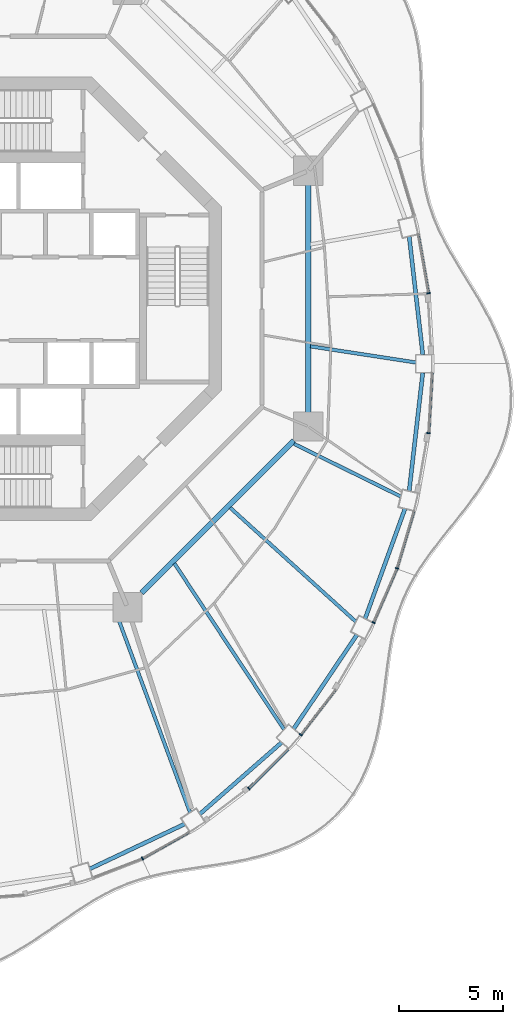
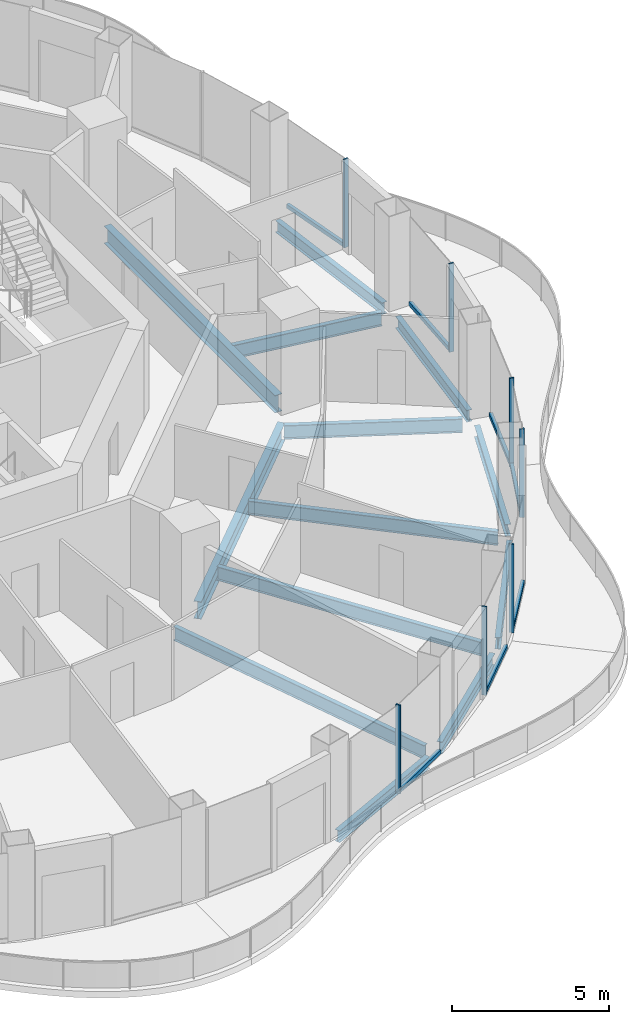
# One storey, part 4 of 17: 14 members, 13 beams, 7 elements without a shape of their own.
"""IFC4 building model written with IfcOpenShell, lengths in metres."""

from ifc_helpers import new_model, si_unit, direction, frame, origin, origin_2d, place, context, subcontext, project, spatial, rectangle, i_section, extrude, material, layer, layer_set, material_profile, profile_set, type_object, element, aggregate, save


model = new_model("IFC4")

# Units and contexts
model_context = context("Model", 3, precision=1e-05, world=origin(), true_north=direction((0.0, 1.0)))
body_context = subcontext(model_context, "Body", "Model", "MODEL_VIEW")
ifc_project = project(units=[si_unit("LENGTHUNIT", "METRE"), si_unit("AREAUNIT", "SQUARE_METRE"), si_unit("VOLUMEUNIT", "CUBIC_METRE"), si_unit("PLANEANGLEUNIT", "RADIAN"), si_unit("MASSUNIT", "GRAM", prefix="KILO")], contexts=[model_context])

# Site, building, storey
site_placement = place(None, origin())
site = spatial("IfcSite", under=ifc_project, at=site_placement, CompositionType="ELEMENT")
building_placement = place(site_placement, origin())
building = spatial("IfcBuilding", under=site, at=building_placement, Name="Nagisa Residences", CompositionType="ELEMENT")
storey_placement = place(building_placement, frame((0.0, 0.0, 273.300048828125)))
storey = spatial("IfcBuildingStorey", under=building, at=storey_placement, Name="L69", CompositionType="ELEMENT", Elevation=273.300048828125)

# Curtain wall, member
ifc_material_1 = material(Name="Concrete-coloured aluminium curtain wall system", Category="concrete")
ifc_layer = layer(ifc_material_1, 0.159912109375)
ifc_layer_set = layer_set([ifc_layer], Name="CW1 CURTAIN WALL")
curtain_wall_type = type_object("IfcCurtainWallType", Name="CW1 CURTAIN WALL", PredefinedType="NOTDEFINED", material=ifc_layer_set)
curtain_wall_1_placement = place(storey_placement, origin())
curtain_wall_1 = element("IfcCurtainWall", 1, at=curtain_wall_1_placement, inside=storey, type_object=curtain_wall_type, Name="cw:CW1:L69:01", PredefinedType="NOTDEFINED")
ifc_material_2 = material(Name="Concrete-coloured aluminium", Category="concrete")
ifc_material_profile_1 = material_profile(ifc_material_2, rectangle(XDim=0.159912109375, YDim=0.06005859375, at=origin_2d()), Name="CW1 MULLION 160x60")
ifc_profile_set_1 = profile_set([ifc_material_profile_1], Name="Concrete-coloured aluminium")
member_type_1 = type_object("IfcMemberType", Name="CW1 MULLION 160x60", PredefinedType="MULLION", material=ifc_profile_set_1)
member_1_placement = place(storey_placement, frame((20.54248046875, 0.2578125, 0.0), z_axis=(0.0, 0.0, 1.0), x_axis=(-0.985063604377, -0.172190868898, 0.0)))
member_1 = element("IfcMember", 2, at=member_1_placement, type_object=member_type_1, Name="CW1 mullion", PredefinedType="MULLION", context=body_context, shape_type="SweptSolid", body=[
    extrude(rectangle(XDim=0.159912109375, YDim=0.06005859375, at=origin_2d()), origin(), (0.0, 0.0, 1.0), 3.43994140625),
])

curtain_wall_2_placement = place(storey_placement, origin())
curtain_wall_2 = element("IfcCurtainWall", 3, at=curtain_wall_2_placement, inside=storey, type_object=curtain_wall_type, Name="cw:CW1:L69:39", PredefinedType="NOTDEFINED")
member_2_placement = place(storey_placement, frame((6.84326171875, -26.81396484375, 0.0), z_axis=(0.0, 0.0, 1.0), x_axis=(-0.489376918501, 0.872072377523, 0.0)))
member_2 = element("IfcMember", 4, at=member_2_placement, type_object=member_type_1, Name="CW1 mullion", PredefinedType="MULLION", context=body_context, shape_type="SweptSolid", body=[
    extrude(rectangle(XDim=0.159912109375, YDim=0.06005859375, at=origin_2d()), origin(), (0.0, 0.0, 1.0), 3.43994140625),
])

curtain_wall_3_placement = place(storey_placement, origin())
curtain_wall_3 = element("IfcCurtainWall", 5, at=curtain_wall_3_placement, inside=storey, type_object=curtain_wall_type, Name="cw:CW1:L69:41", PredefinedType="NOTDEFINED")
member_3_placement = place(storey_placement, frame((11.934814453125, -23.460693359375, 0.0), z_axis=(0.0, 0.0, 1.0), x_axis=(-0.706376885714, 0.707835924016, 0.0)))
member_3 = element("IfcMember", 6, at=member_3_placement, type_object=member_type_1, Name="CW1 mullion", PredefinedType="MULLION", context=body_context, shape_type="SweptSolid", body=[
    extrude(rectangle(XDim=0.159912109375, YDim=0.06005859375, at=origin_2d()), origin(), (0.0, 0.0, 1.0), 3.43994140625),
])

curtain_wall_4_placement = place(storey_placement, origin())
curtain_wall_4 = element("IfcCurtainWall", 7, at=curtain_wall_4_placement, inside=storey, type_object=curtain_wall_type, Name="cw:CW1:L69:42", PredefinedType="NOTDEFINED")
member_4_placement = place(storey_placement, frame((14.42431640625, -20.8896484375, 0.0), z_axis=(0.0, 0.0, 1.0), x_axis=(-0.792070340816, 0.610429828235, 0.0)))
member_4 = element("IfcMember", 8, at=member_4_placement, type_object=member_type_1, Name="CW1 mullion", PredefinedType="MULLION", context=body_context, shape_type="SweptSolid", body=[
    extrude(rectangle(XDim=0.159912109375, YDim=0.06005859375, at=origin_2d()), origin(), (0.0, 0.0, 1.0), 3.43994140625),
])

curtain_wall_5_placement = place(storey_placement, origin())
curtain_wall_5 = element("IfcCurtainWall", 9, at=curtain_wall_5_placement, inside=storey, type_object=curtain_wall_type, Name="cw:CW1:L69:44", PredefinedType="NOTDEFINED")
member_5_placement = place(storey_placement, frame((17.906982421875, -15.515380859375, 0.0), z_axis=(0.0, 0.0, 1.0), x_axis=(-0.917543276295, 0.397635934147, 0.0)))
member_5 = element("IfcMember", 10, at=member_5_placement, type_object=member_type_1, Name="CW1 mullion", PredefinedType="MULLION", context=body_context, shape_type="SweptSolid", body=[
    extrude(rectangle(XDim=0.159912109375, YDim=0.06005859375, at=origin_2d()), origin(), (0.0, 0.0, 1.0), 3.43994140625),
])

curtain_wall_6_placement = place(storey_placement, origin())
curtain_wall_6 = element("IfcCurtainWall", 11, at=curtain_wall_6_placement, inside=storey, type_object=curtain_wall_type, Name="cw:CW1:L69:45", PredefinedType="NOTDEFINED")
member_6_placement = place(storey_placement, frame((19.030029296875, -12.916259765625, 0.0), z_axis=(0.0, 0.0, 1.0), x_axis=(-0.958271310082, 0.285860274038, 0.0)))
member_6 = element("IfcMember", 12, at=member_6_placement, type_object=member_type_1, Name="CW1 mullion", PredefinedType="MULLION", context=body_context, shape_type="SweptSolid", body=[
    extrude(rectangle(XDim=0.159912109375, YDim=0.06005859375, at=origin_2d()), origin(), (0.0, 0.0, 1.0), 3.43994140625),
])

curtain_wall_7_placement = place(storey_placement, origin())
curtain_wall_7 = element("IfcCurtainWall", 13, at=curtain_wall_7_placement, inside=storey, type_object=curtain_wall_type, Name="cw:CW1:L69:47", PredefinedType="NOTDEFINED")
member_7_placement = place(storey_placement, frame((20.54833984375, -6.44287109375, 0.0), z_axis=(0.0, 0.0, 1.0), x_axis=(-0.998345305184, 0.057503492216, 0.0)))
member_7 = element("IfcMember", 14, at=member_7_placement, type_object=member_type_1, Name="CW1 mullion", PredefinedType="MULLION", context=body_context, shape_type="SweptSolid", body=[
    extrude(rectangle(XDim=0.159912109375, YDim=0.06005859375, at=origin_2d()), origin(), (0.0, 0.0, 1.0), 3.43994140625),
])

# Member
ifc_material_3 = material(Name="Concrete-coloured aluminium", Category="concrete")
ifc_material_profile_2 = material_profile(ifc_material_3, rectangle(XDim=0.1201171875, YDim=0.14990234375, at=origin_2d()), Name="CW1 TRANSOM 120x150")
ifc_profile_set_2 = profile_set([ifc_material_profile_2], Name="Concrete-coloured aluminium")
member_type_2 = type_object("IfcMemberType", Name="CW1 TRANSOM 120x150", PredefinedType="USERDEFINED", material=ifc_profile_set_2)
member_8_placement = place(storey_placement, frame((20.547607421875, 0.228271484375, 0.074951171875), z_axis=(-0.172196679668, 0.985062588626, 0.0), x_axis=(-0.985062588626, -0.172196679668, 0.0)))
member_8 = element("IfcMember", 15, at=member_8_placement, type_object=member_type_2, Name="CW1 transom", ObjectType="TRANSOM", PredefinedType="USERDEFINED", context=body_context, shape_type="SweptSolid", body=[
    extrude(rectangle(XDim=0.1201171875, YDim=0.14990234375, at=origin_2d()), origin(), (0.0, 0.0, 1.0), 2.90234375),
])

aggregate(curtain_wall_1, [member_1, member_8])

member_9_placement = place(storey_placement, frame((6.817138671875, -26.82861328125, 0.074951171875), z_axis=(0.872052877201, 0.489411666561, 0.0), x_axis=(-0.489411666561, 0.872052877201, 0.0)))
member_9 = element("IfcMember", 16, at=member_9_placement, type_object=member_type_2, Name="CW1 transom", ObjectType="TRANSOM", PredefinedType="USERDEFINED", context=body_context, shape_type="SweptSolid", body=[
    extrude(rectangle(XDim=0.1201171875, YDim=0.14990234375, at=origin_2d()), origin(), (0.0, 0.0, 1.0), 2.593017578125),
])

aggregate(curtain_wall_2, [member_2, member_9])

member_10_placement = place(storey_placement, frame((11.91357421875, -23.48193359375, 0.074951171875), z_axis=(0.707876975297, 0.706335747251, 0.0), x_axis=(-0.706335747251, 0.707876975297, 0.0)))
member_10 = element("IfcMember", 17, at=member_10_placement, type_object=member_type_2, Name="CW1 transom", ObjectType="TRANSOM", PredefinedType="USERDEFINED", context=body_context, shape_type="SweptSolid", body=[
    extrude(rectangle(XDim=0.1201171875, YDim=0.14990234375, at=origin_2d()), origin(), (0.0, 0.0, 1.0), 2.69287109375),
])

aggregate(curtain_wall_3, [member_3, member_10])

member_11_placement = place(storey_placement, frame((14.406005859375, -20.913330078125, 0.074951171875), z_axis=(0.610432336622, 0.792068407656, 0.0), x_axis=(-0.792068407656, 0.610432336622, 0.0)))
member_11 = element("IfcMember", 18, at=member_11_placement, type_object=member_type_2, Name="CW1 transom", ObjectType="TRANSOM", PredefinedType="USERDEFINED", context=body_context, shape_type="SweptSolid", body=[
    extrude(rectangle(XDim=0.1201171875, YDim=0.14990234375, at=origin_2d()), origin(), (0.0, 0.0, 1.0), 2.74609375),
])

aggregate(curtain_wall_4, [member_4, member_11])

member_12_placement = place(storey_placement, frame((17.89501953125, -15.54296875, 0.074951171875), z_axis=(0.397597791596, 0.9175598052, 0.0), x_axis=(-0.9175598052, 0.397597791596, 0.0)))
member_12 = element("IfcMember", 19, at=member_12_placement, type_object=member_type_2, Name="CW1 transom", ObjectType="TRANSOM", PredefinedType="USERDEFINED", context=body_context, shape_type="SweptSolid", body=[
    extrude(rectangle(XDim=0.1201171875, YDim=0.14990234375, at=origin_2d()), origin(), (0.0, 0.0, 1.0), 2.841064453125),
])

aggregate(curtain_wall_5, [member_5, member_12])

member_13_placement = place(storey_placement, frame((19.021484375, -12.945068359375, 0.074951171875), z_axis=(0.285876209024, 0.9582665564, 0.0), x_axis=(-0.9582665564, 0.285876209024, 0.0)))
member_13 = element("IfcMember", 20, at=member_13_placement, type_object=member_type_2, Name="CW1 transom", ObjectType="TRANSOM", PredefinedType="USERDEFINED", context=body_context, shape_type="SweptSolid", body=[
    extrude(rectangle(XDim=0.1201171875, YDim=0.14990234375, at=origin_2d()), origin(), (0.0, 0.0, 1.0), 2.877197265625),
])

aggregate(curtain_wall_6, [member_6, member_13])

member_14_placement = place(storey_placement, frame((20.546630859375, -6.472900390625, 0.074951171875), z_axis=(0.057529123486, 0.998343828524, 0.0), x_axis=(-0.998343828524, 0.057529123486, 0.0)))
member_14 = element("IfcMember", 21, at=member_14_placement, type_object=member_type_2, Name="CW1 transom", ObjectType="TRANSOM", PredefinedType="USERDEFINED", context=body_context, shape_type="SweptSolid", body=[
    extrude(rectangle(XDim=0.1201171875, YDim=0.14990234375, at=origin_2d()), origin(), (0.0, 0.0, 1.0), 2.91552734375),
])

aggregate(curtain_wall_7, [member_7, member_14])

# Beams
ifc_material_4 = material(Name="Steel ASTM A572 Gr 50", Category="steel")
ifc_material_profile_3 = material_profile(ifc_material_4, i_section(OverallWidth=0.2529296875, OverallDepth=0.677978515625, WebThickness=0.01171875, FlangeThickness=0.016357421875, at=origin_2d()), Name="W690x125")
ifc_profile_set_3 = profile_set([ifc_material_profile_3], Name="Steel ASTM A572 Gr 50")
beam_type_1 = type_object("IfcBeamType", Name="Inner ring beam W690x125", PredefinedType="BEAM", material=ifc_profile_set_3)
beam_1_placement = place(storey_placement, frame((6.808837890625, -14.09619140625, -0.59912109375), z_axis=(0.707106781187, 0.707106781187, 0.0), x_axis=(-0.707106781187, 0.707106781187, 0.0)))
element("IfcBeam", 22, at=beam_1_placement, inside=storey, type_object=beam_type_1, Name="beam:L69:ib7", PredefinedType="BEAM", context=body_context, shape_type="SweptSolid", body=[
    extrude(i_section(OverallWidth=0.2529296875, OverallDepth=0.677978515625, WebThickness=0.01171875, FlangeThickness=0.016357421875, at=origin_2d()), origin(), (0.0, 0.0, 1.0), 10.305908203125),
])
beam_2_placement = place(storey_placement, frame((14.781982421875, -5.44287109375, -0.59912109375), z_axis=(0.0, 1.0, 0.0), x_axis=(-1.0, 0.0, 0.0)))
element("IfcBeam", 23, at=beam_2_placement, inside=storey, type_object=beam_type_1, Name="beam:L69:ib8", PredefinedType="BEAM", context=body_context, shape_type="SweptSolid", body=[
    extrude(i_section(OverallWidth=0.2529296875, OverallDepth=0.677978515625, WebThickness=0.01171875, FlangeThickness=0.016357421875, at=origin_2d()), origin(), (0.0, 0.0, 1.0), 10.8857421875),
])
ifc_material_5 = material(Name="Steel ASTM A572 Gr 50", Category="steel")
ifc_material_profile_4 = material_profile(ifc_material_5, i_section(OverallWidth=0.18994140625, OverallDepth=0.45703125, WebThickness=0.009033203125, FlangeThickness=0.014404296875, at=origin_2d()), Name="W460x74")
ifc_profile_set_4 = profile_set([ifc_material_profile_4], Name="Steel ASTM A572 Gr 50")
beam_type_2 = type_object("IfcBeamType", Name="Perimeter ring beam W460x74", PredefinedType="BEAM", material=ifc_profile_set_4)
beam_3_placement = place(storey_placement, frame((20.270263671875, -2.6875, -0.488525390625), z_axis=(-0.114593271741, 0.993412493414, 0.0), x_axis=(-0.993412493414, -0.114593271741, 0.0)))
element("IfcBeam", 24, at=beam_3_placement, inside=storey, type_object=beam_type_2, Name="beam:L69:pb01", PredefinedType="BEAM", context=body_context, shape_type="SweptSolid", body=[
    extrude(i_section(OverallWidth=0.18994140625, OverallDepth=0.45703125, WebThickness=0.009033203125, FlangeThickness=0.014404296875, at=origin_2d()), origin(), (0.0, 0.0, 1.0), 5.709716796875),
])
beam_4_placement = place(storey_placement, frame((4.318115234375, -27.311767578125, -0.488525390625), z_axis=(0.904115893837, 0.427287316113, 0.0), x_axis=(-0.427287316113, 0.904115893837, 0.0)))
element("IfcBeam", 25, at=beam_4_placement, inside=storey, type_object=beam_type_2, Name="beam:L69:pb20", PredefinedType="BEAM", context=body_context, shape_type="SweptSolid", body=[
    extrude(i_section(OverallWidth=0.18994140625, OverallDepth=0.45703125, WebThickness=0.009033203125, FlangeThickness=0.014404296875, at=origin_2d()), origin(), (0.0, 0.0, 1.0), 5.031494140625),
])
beam_5_placement = place(storey_placement, frame((9.586669921875, -24.690185546875, -0.488525390625), z_axis=(0.752385480596, 0.658723074279, 0.0), x_axis=(-0.658723074279, 0.752385480596, 0.0)))
element("IfcBeam", 26, at=beam_5_placement, inside=storey, type_object=beam_type_2, Name="beam:L69:pb21", PredefinedType="BEAM", context=body_context, shape_type="SweptSolid", body=[
    extrude(i_section(OverallWidth=0.18994140625, OverallDepth=0.45703125, WebThickness=0.009033203125, FlangeThickness=0.014404296875, at=origin_2d()), origin(), (0.0, 0.0, 1.0), 5.220947265625),
])
beam_6_placement = place(storey_placement, frame((14.083251953125, -20.605224609375, -0.488525390625), z_axis=(0.558045612854, 0.829810275891, 0.0), x_axis=(-0.829810275891, 0.558045612854, 0.0)))
element("IfcBeam", 27, at=beam_6_placement, inside=storey, type_object=beam_type_2, Name="beam:L69:pb22", PredefinedType="BEAM", context=body_context, shape_type="SweptSolid", body=[
    extrude(i_section(OverallWidth=0.18994140625, OverallDepth=0.45703125, WebThickness=0.009033203125, FlangeThickness=0.014404296875, at=origin_2d()), origin(), (0.0, 0.0, 1.0), 5.432373046875),
])
beam_7_placement = place(storey_placement, frame((17.50439453125, -15.330322265625, -0.488525390625), z_axis=(0.341211850477, 0.93998642176, 0.0), x_axis=(-0.93998642176, 0.341211850477, 0.0)))
element("IfcBeam", 28, at=beam_7_placement, inside=storey, type_object=beam_type_2, Name="beam:L69:pb23", PredefinedType="BEAM", context=body_context, shape_type="SweptSolid", body=[
    extrude(i_section(OverallWidth=0.18994140625, OverallDepth=0.45703125, WebThickness=0.009033203125, FlangeThickness=0.014404296875, at=origin_2d()), origin(), (0.0, 0.0, 1.0), 5.609619140625),
])
beam_8_placement = place(storey_placement, frame((19.615966796875, -9.219970703125, -0.488525390625), z_axis=(0.114593271741, 0.993412493414, 0.0), x_axis=(-0.993412493414, 0.114593271741, 0.0)))
element("IfcBeam", 29, at=beam_8_placement, inside=storey, type_object=beam_type_2, Name="beam:L69:pb24", PredefinedType="BEAM", context=body_context, shape_type="SweptSolid", body=[
    extrude(i_section(OverallWidth=0.18994140625, OverallDepth=0.45703125, WebThickness=0.009033203125, FlangeThickness=0.014404296875, at=origin_2d()), origin(), (0.0, 0.0, 1.0), 5.709716796875),
])
ifc_material_6 = material(Name="Steel ASTM A572 Gr 50", Category="steel")
ifc_material_profile_5 = material_profile(ifc_material_6, i_section(OverallWidth=0.166015625, OverallDepth=0.534912109375, WebThickness=0.01025390625, FlangeThickness=0.0166015625, at=origin_2d()), Name="W530x85")
ifc_profile_set_5 = profile_set([ifc_material_profile_5], Name="Steel ASTM A572 Gr 50")
beam_type_3 = type_object("IfcBeamType", Name="Radial beam W530x85", PredefinedType="BEAM", material=ifc_profile_set_5)
beam_9_placement = place(storey_placement, frame((19.939697265625, -3.059326171875, -0.527587890625), z_axis=(-0.988434580655, 0.151647880849, 0.0), x_axis=(-0.151647880849, -0.988434580655, 0.0)))
element("IfcBeam", 30, at=beam_9_placement, inside=storey, type_object=beam_type_3, Name="beam:L69:rb01", PredefinedType="BEAM", context=body_context, shape_type="SweptSolid", body=[
    extrude(i_section(OverallWidth=0.166015625, OverallDepth=0.534912109375, WebThickness=0.01025390625, FlangeThickness=0.0166015625, at=origin_2d()), origin(), (0.0, 0.0, 1.0), 5.10986328125),
])
beam_10_placement = place(storey_placement, frame((9.124267578125, -24.610107421875, -0.527587890625), z_axis=(-0.347626513472, 0.93763308769, 0.0), x_axis=(-0.93763308769, -0.347626513472, 0.0)))
element("IfcBeam", 31, at=beam_10_placement, inside=storey, type_object=beam_type_3, Name="beam:L69:rb21", PredefinedType="BEAM", context=body_context, shape_type="SweptSolid", body=[
    extrude(i_section(OverallWidth=0.166015625, OverallDepth=0.534912109375, WebThickness=0.01025390625, FlangeThickness=0.0166015625, at=origin_2d()), origin(), (0.0, 0.0, 1.0), 10.36669921875),
])
beam_11_placement = place(storey_placement, frame((13.623779296875, -20.6357421875, -0.527587890625), z_axis=(-0.550958197916, 0.834532841864, 0.0), x_axis=(-0.834532841864, -0.550958197916, 0.0)))
element("IfcBeam", 32, at=beam_11_placement, inside=storey, type_object=beam_type_3, Name="beam:L69:rb22", PredefinedType="BEAM", context=body_context, shape_type="SweptSolid", body=[
    extrude(i_section(OverallWidth=0.166015625, OverallDepth=0.534912109375, WebThickness=0.01025390625, FlangeThickness=0.0166015625, at=origin_2d()), origin(), (0.0, 0.0, 1.0), 9.52978515625),
])
beam_12_placement = place(storey_placement, frame((17.064208984375, -15.47265625, -0.527587890625), z_axis=(-0.740818788558, 0.671704937096, 0.0), x_axis=(-0.671704937096, -0.740818788558, 0.0)))
element("IfcBeam", 33, at=beam_12_placement, inside=storey, type_object=beam_type_3, Name="beam:L69:rb23", PredefinedType="BEAM", context=body_context, shape_type="SweptSolid", body=[
    extrude(i_section(OverallWidth=0.166015625, OverallDepth=0.534912109375, WebThickness=0.01025390625, FlangeThickness=0.0166015625, at=origin_2d()), origin(), (0.0, 0.0, 1.0), 8.128173828125),
])
beam_13_placement = place(storey_placement, frame((19.216064453125, -9.4775390625, -0.527587890625), z_axis=(-0.896862727732, 0.442308995618, 0.0), x_axis=(-0.442308995618, -0.896862727732, 0.0)))
element("IfcBeam", 34, at=beam_13_placement, inside=storey, type_object=beam_type_3, Name="beam:L69:rb24", PredefinedType="BEAM", context=body_context, shape_type="SweptSolid", body=[
    extrude(i_section(OverallWidth=0.166015625, OverallDepth=0.534912109375, WebThickness=0.01025390625, FlangeThickness=0.0166015625, at=origin_2d()), origin(), (0.0, 0.0, 1.0), 5.702392578125),
])

save(model, "model.ifc")
